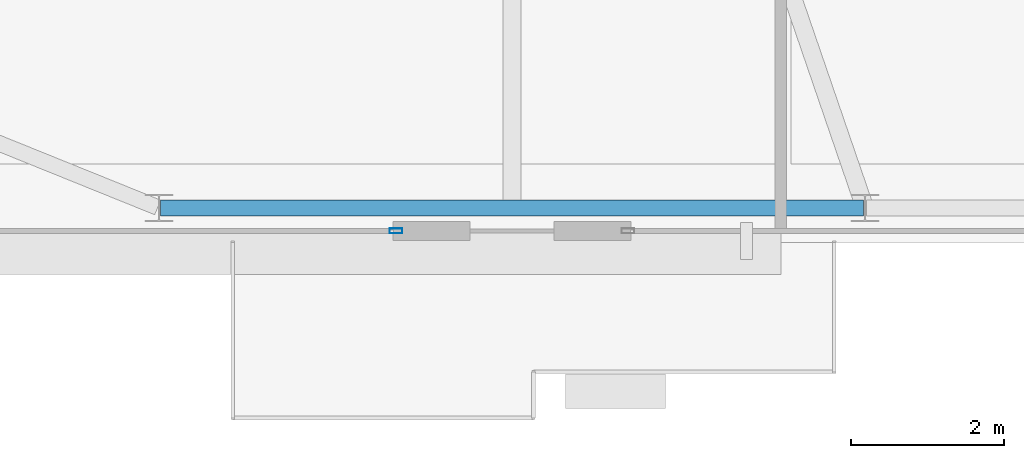
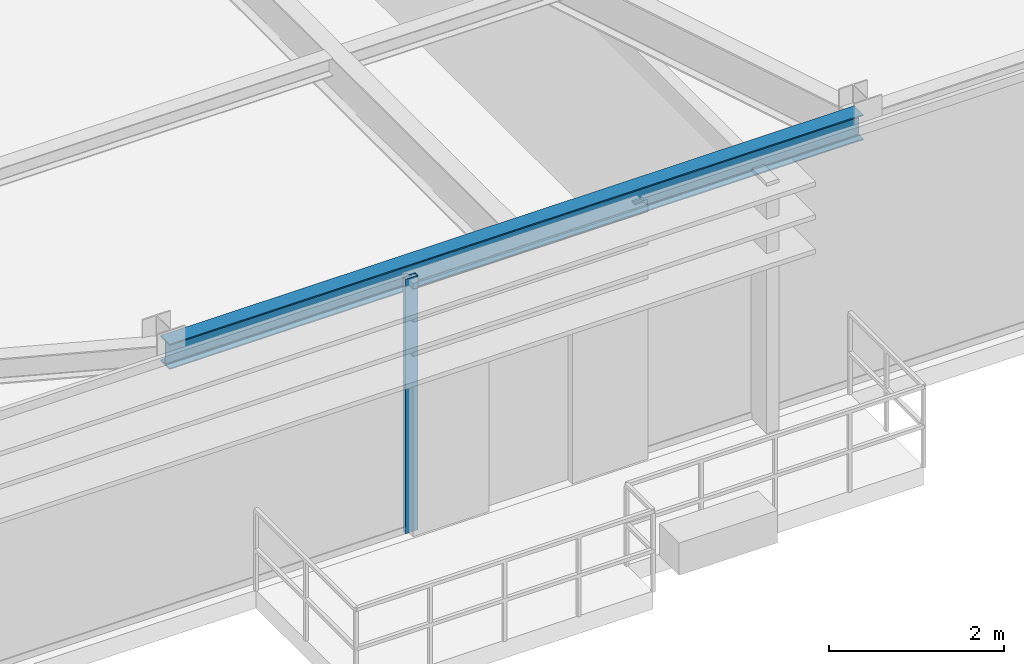
# One storey, part 6 of 30: 1 beam, 1 member, 1 element without a shape of its own.
"""IFC4 building model written with IfcOpenShell, lengths in metres."""

from ifc_helpers import new_model, si_unit, direction, frame, origin, origin_2d, place, context, subcontext, project, spatial, hollow_rectangle, i_section, extrude, source, transform, mapped, material, layer, layer_set, material_profile, profile_set, type_object, type_shapes, element, aggregate, save


model = new_model("IFC4")

# Units and contexts
model_context = context("Model", 3, precision=1e-05, world=origin(), true_north=direction((0.0, 1.0)))
body_context = subcontext(model_context, "Body", "Model", "MODEL_VIEW")
ifc_project = project(units=[si_unit("LENGTHUNIT", "METRE"), si_unit("AREAUNIT", "SQUARE_METRE"), si_unit("VOLUMEUNIT", "CUBIC_METRE"), si_unit("PLANEANGLEUNIT", "RADIAN"), si_unit("MASSUNIT", "GRAM", prefix="KILO")], contexts=[model_context])

# Site, building, storey
site_placement = place(None, origin())
site = spatial("IfcSite", under=ifc_project, at=site_placement, CompositionType="ELEMENT")
building_placement = place(site_placement, origin())
building = spatial("IfcBuilding", under=site, at=building_placement, Name="Varnel Quay Broadcast Tower", CompositionType="ELEMENT")
storey_placement = place(building_placement, frame((0.0, 0.0, 247.0)))
storey = spatial("IfcBuildingStorey", under=building, at=storey_placement, Name="L61", CompositionType="ELEMENT", Elevation=247.0)

# Beam
ifc_material_1 = material(Name="Structural Steel CSA G40.21 350W", Category="steel")
ifc_material_profile_1 = material_profile(ifc_material_1, i_section(OverallWidth=0.205078125, OverallDepth=0.35400390625, WebThickness=0.009521484375, FlangeThickness=0.016845703125, FilletRadius=0.012939453125, at=origin_2d()), Name="W360X79")
ifc_profile_set_1 = profile_set([ifc_material_profile_1], Name="Structural Steel CSA G40.21 350W")
beam_type = type_object("IfcBeamType", Name="Beam_W360X79", PredefinedType="SPANDREL", material=ifc_profile_set_1)
shared_shape_1 = source(origin(), body_context, "Body", "SweptSolid", [
    extrude(i_section(OverallWidth=0.205078125, OverallDepth=0.35400390625, WebThickness=0.009521484375, FlangeThickness=0.016845703125, FilletRadius=0.012939453125, at=origin_2d()), origin(), (0.0, 0.0, 1.0), 9.159912109375),
])
type_shapes(beam_type, [shared_shape_1])
beam_placement = place(storey_placement, frame((20.219970703125, 10.64990234375, 3.373046875), z_axis=(1.0, 0.0, 0.0), x_axis=(0.0, 1.0, 0.0)))
element("IfcBeam", 1, at=beam_placement, inside=storey, type_object=beam_type, Name="L61 South Spandrel TC-S1-TC-S2", PredefinedType="SPANDREL", context=body_context, shape_type="MappedRepresentation", body=[
    mapped(shared_shape_1, transform((0.0, 0.0, 0.0), x_axis=(1.0, 0.0, 0.0), y_axis=(0.0, 1.0, 0.0), z_axis=(0.0, 0.0, 1.0), scale=1.0)),
])

# Curtain wall, member
ifc_material_2 = material(Name="Anodised Bronze Aluminium 6063-T6", Category="aluminium")
ifc_layer = layer(ifc_material_2, 0.18994140625, Name="Anodised Bronze Aluminium 6063-T6")
ifc_layer_set = layer_set([ifc_layer], Name="Anodised Bronze Aluminium 6063-T6")
curtain_wall_type = type_object("IfcCurtainWallType", Name="CW_UpperTower", PredefinedType="NOTDEFINED", material=ifc_layer_set)
curtain_wall_placement = place(storey_placement, origin())
curtain_wall = element("IfcCurtainWall", 2, at=curtain_wall_placement, inside=storey, type_object=curtain_wall_type, Name="L61 South Unitised Curtain Wall 1", PredefinedType="NOTDEFINED")
ifc_material_profile_2 = material_profile(ifc_material_2, hollow_rectangle(XDim=0.06494140625, YDim=0.1650390625, WallThickness=0.00341796875, at=origin_2d()), Name="ALU65X165X3.5")
ifc_profile_set_2 = profile_set([ifc_material_profile_2], Name="Anodised Bronze Aluminium 6063-T6")
member_type = type_object("IfcMemberType", Name="Mull_CWS-03", PredefinedType="MULLION", material=ifc_profile_set_2)
shared_shape_2 = source(origin(), body_context, "Body", "SweptSolid", [
    extrude(hollow_rectangle(XDim=0.06494140625, YDim=0.1650390625, WallThickness=0.00341796875, at=origin_2d()), origin(), (0.0, 0.0, 1.0), 3.550048828125),
])
type_shapes(member_type, [shared_shape_2])
member_placement = place(storey_placement, frame((23.28759765625, 10.35009765625, 0.0), z_axis=(0.0, 0.0, 1.0), x_axis=(0.0, 1.0, 0.0)))
member = element("IfcMember", 3, at=member_placement, type_object=member_type, Name="CWS-03 mullion 2", PredefinedType="MULLION", context=body_context, shape_type="MappedRepresentation", body=[
    mapped(shared_shape_2, transform((0.0, 0.0, 0.0), x_axis=(1.0, 0.0, 0.0), y_axis=(0.0, 1.0, 0.0), z_axis=(0.0, 0.0, 1.0), scale=1.0)),
])
aggregate(curtain_wall, [member])

save(model, "model.ifc")
